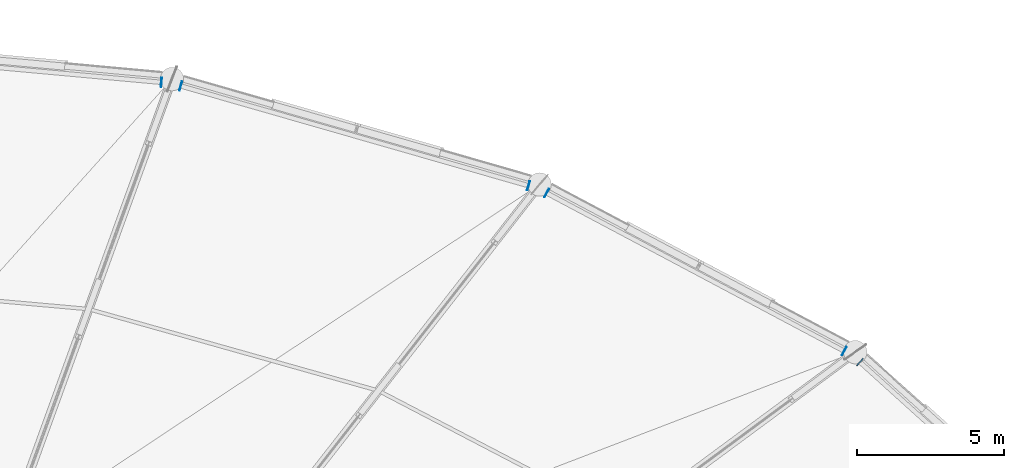
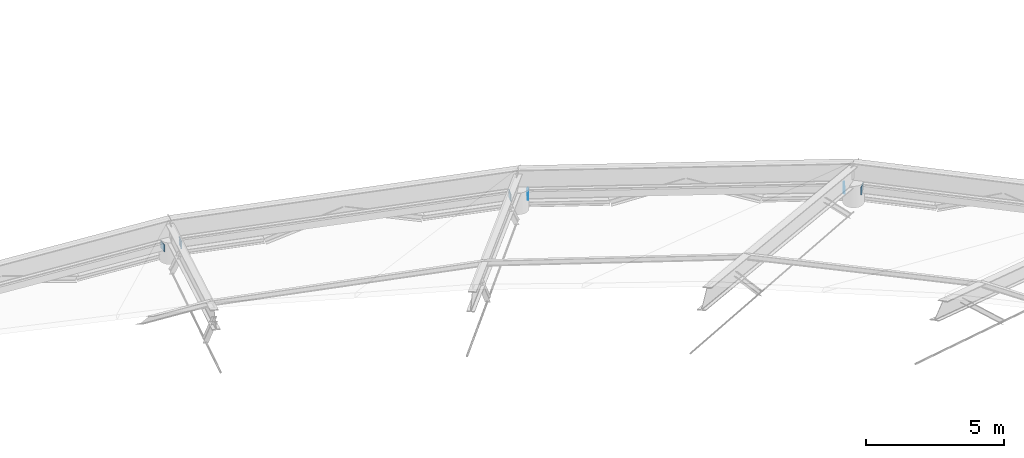
# One storey, part 68 of 83: 6 plates.
"""IFC4 building model written with IfcOpenShell, lengths in metres."""

from ifc_helpers import new_model, si_unit, direction, frame, origin, origin_2d, place, context, subcontext, project, spatial, rectangle, extrude, material, layer, layer_set, type_object, element, save


model = new_model("IFC4")

# Units and contexts
model_context = context("Model", 3, precision=1e-05, world=origin(), true_north=direction((0.0, 1.0)))
body_context = subcontext(model_context, "Body", "Model", "MODEL_VIEW")
ifc_project = project(units=[si_unit("LENGTHUNIT", "METRE"), si_unit("AREAUNIT", "SQUARE_METRE"), si_unit("VOLUMEUNIT", "CUBIC_METRE"), si_unit("PLANEANGLEUNIT", "RADIAN"), si_unit("MASSUNIT", "GRAM", prefix="KILO")], contexts=[model_context])

# Site, building, storey
site_placement = place(None, origin())
site = spatial("IfcSite", under=ifc_project, at=site_placement, CompositionType="ELEMENT")
building_placement = place(site_placement, origin())
building = spatial("IfcBuilding", under=site, at=building_placement, Name="Kivolera Central Railway Station", CompositionType="ELEMENT")
storey_placement = place(building_placement, frame((0.0, 0.0, 14.39990234375)))
storey = spatial("IfcBuildingStorey", under=building, at=storey_placement, Name="L03", CompositionType="ELEMENT", Elevation=14.39990234375)

# Plates
ifc_material = material(Name="Steel S355", Category="steel")
ifc_layer = layer(ifc_material, 0.02490234375, Name="Steel S355")
ifc_layer_set = layer_set([ifc_layer], Name="Steel S355")
plate_type = type_object("IfcPlateType", Name="PLT-CAP-320", PredefinedType="SHEET", material=ifc_layer_set)
for number, where, z_axis, x_axis, name in (
    (1, (100.93310546875, 115.114013671875, 0.735107421875), (-0.742405923756, 0.66995032978, 0.0), (-0.66995032978, -0.742405923756, 0.0), "Hollow section end-cap plate NP-CAP1"),
    (2, (100.39208984375, 115.491943359375, 0.735107421875), (-0.883132628524, 0.469123395747, 0.0), (-0.469123395747, -0.883132628524, 0.0), "Hollow section end-cap plate NP-CAP1"),
    (3, (90.240966796875, 120.884033203125, 0.735107421875), (-0.883132628524, 0.469123395747, 0.0), (-0.469123395747, -0.883132628524, 0.0), "Hollow section end-cap plate NP-CAP1"),
    (4, (89.623046875, 121.134033203125, 0.735107421875), (-0.961251247527, 0.275673791151, 0.0), (-0.275673791151, -0.961251247527, 0.0), "Hollow section end-cap plate NP-CAP1"),
    (5, (77.756103515625, 124.537109375, 0.735107421875), (-0.961251247527, 0.275673791151, 0.0), (-0.275673791151, -0.961251247527, 0.0), "Hollow section end-cap plate NP-CAP1"),
    (6, (77.095947265625, 124.660888671875, 0.735107421875), (-0.995873980244, 0.090746986022, 0.0), (-0.090746986022, -0.995873980244, 0.0), "Hollow section end-cap plate NP-CAP1"),
):
    element("IfcPlate", number, at=place(storey_placement, frame(where, z_axis=z_axis, x_axis=x_axis)), inside=storey, type_object=plate_type, Name=name, PredefinedType="SHEET", context=body_context, shape_type="SweptSolid", body=[
        extrude(rectangle(XDim=0.320068359375, YDim=0.320068359375, at=origin_2d()), frame((0.0, 0.0, -0.012451171875)), (0.0, 0.0, 1.0), 0.02490234375),
    ])

save(model, "model.ifc")
